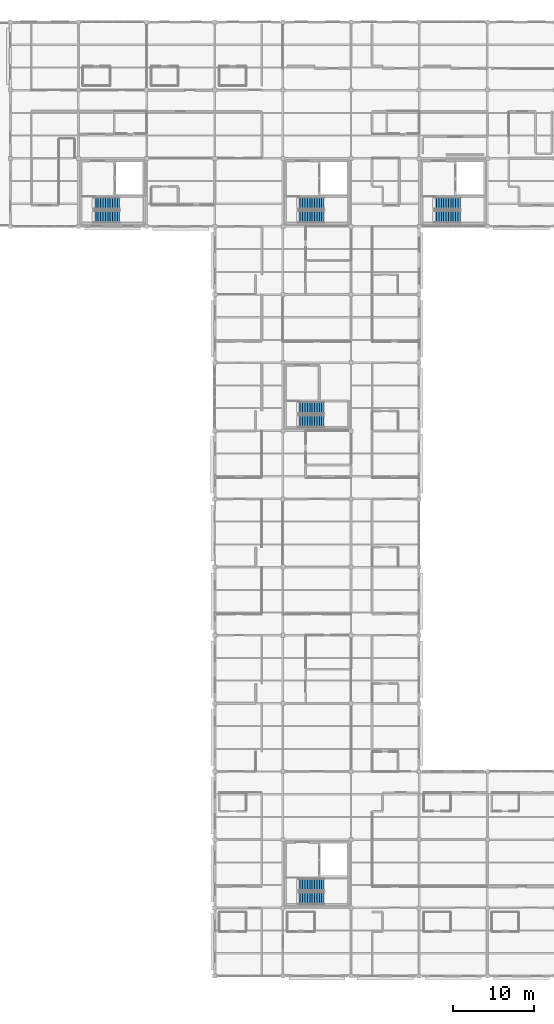
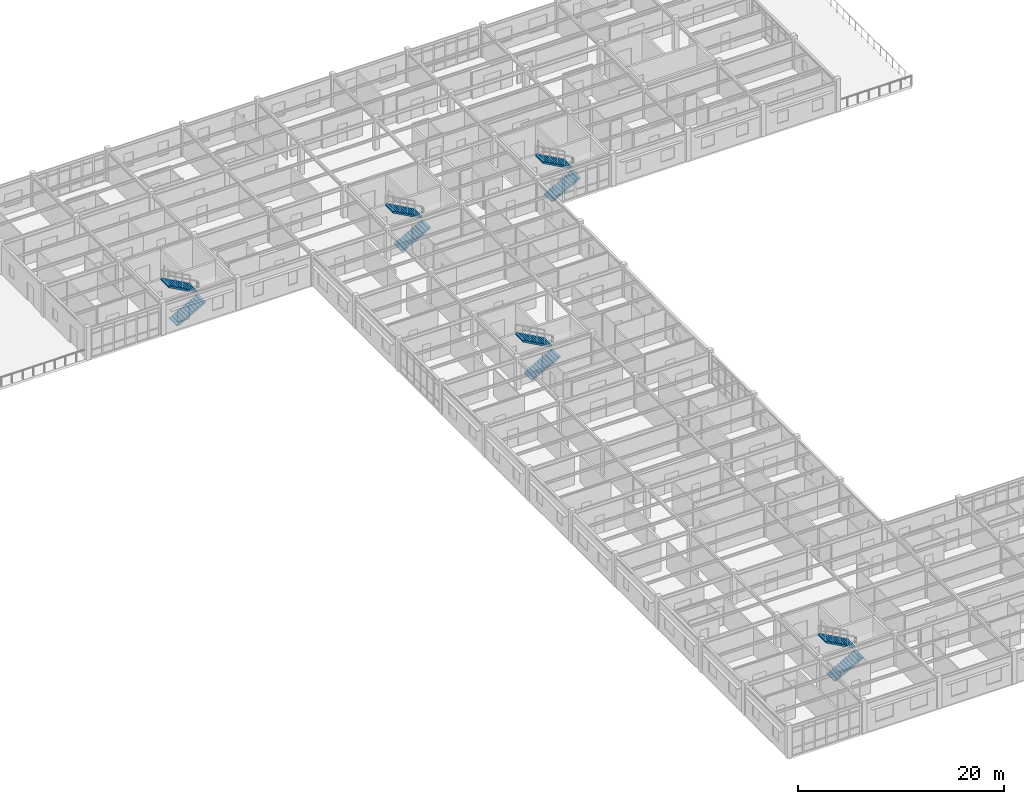
# One storey, part 46 of 53: 10 stair flights, 5 elements without a shape of their own.
"""IFC4 building model written with IfcOpenShell, lengths in metres."""

from ifc_helpers import new_model, si_unit, direction, frame, origin, place, context, subcontext, project, spatial, polyline, outline, extrude, material, type_object, element, aggregate, save


model = new_model("IFC4")

# Units and contexts
model_context = context("Model", 3, precision=1e-05, world=origin(), true_north=direction((0.0, 1.0)))
body_context = subcontext(model_context, "Body", "Model", "MODEL_VIEW")
ifc_project = project(units=[si_unit("LENGTHUNIT", "METRE"), si_unit("AREAUNIT", "SQUARE_METRE"), si_unit("VOLUMEUNIT", "CUBIC_METRE"), si_unit("PLANEANGLEUNIT", "RADIAN"), si_unit("MASSUNIT", "GRAM", prefix="KILO")], contexts=[model_context])

# Site, building, storey
site_placement = place(None, origin())
site = spatial("IfcSite", under=ifc_project, at=site_placement, CompositionType="ELEMENT")
building_placement = place(site_placement, origin())
building = spatial("IfcBuilding", under=site, at=building_placement, Name="Bramfleet General Hospital", CompositionType="ELEMENT")
storey_placement = place(building_placement, frame((0.0, 0.0, 26.39990234375)))
storey = spatial("IfcBuildingStorey", under=building, at=storey_placement, Name="L06", CompositionType="ELEMENT", Elevation=26.39990234375)

# Stair, stair flights
ifc_material = material(Name="Concrete C35/45", Category="concrete")
stair_type = type_object("IfcStairType", Name="STR-T4", PredefinedType="HALF_TURN_STAIR", material=ifc_material)
stair_1_placement = place(storey_placement, origin())
stair_1 = element("IfcStair", 1, at=stair_1_placement, inside=storey, type_object=stair_type, Name="L06 Core C3 (South Ward Wing) Protected Escape Stair", PredefinedType="HALF_TURN_STAIR")
stair_flight_type = type_object("IfcStairFlightType", Name="STF-T4", PredefinedType="STRAIGHT", material=ifc_material)
stair_flight_1_placement = place(storey_placement, frame((102.639892578125, 9.570068359375, 0.0), z_axis=(0.0, 0.0, 1.0), x_axis=(1.0, 0.0, 0.0)))
stair_flight_1 = element("IfcStairFlight", 2, at=stair_flight_1_placement, type_object=stair_flight_type, Name="ST-C3 flight 1", NumberOfRisers=12, NumberOfTreads=11, PredefinedType="STRAIGHT", RiserHeight=0.1625, TreadLength=0.295, context=body_context, shape_type="SweptSolid", body=[
    extrude(outline(polyline([(0.0, 0.0), (0.0, 0.16259765625), (0.294921875, 0.16259765625), (0.294921875, 0.324951171875), (0.590087890625, 0.324951171875), (0.590087890625, 0.487548828125), (0.885009765625, 0.487548828125), (0.885009765625, 0.64990234375), (1.179931640625, 0.64990234375), (1.179931640625, 0.8125), (1.47509765625, 0.8125), (1.47509765625, 0.97509765625), (1.77001953125, 0.97509765625), (1.77001953125, 1.137451171875), (2.06494140625, 1.137451171875), (2.06494140625, 1.300048828125), (2.360107421875, 1.300048828125), (2.360107421875, 1.46240234375), (2.655029296875, 1.46240234375), (2.655029296875, 1.625), (2.949951171875, 1.625), (2.949951171875, 1.78759765625), (3.2451171875, 1.78759765625), (3.2451171875, 1.949951171875), (3.2451171875, 1.60498046875), (0.33154296875, 0.0), (0.0, 0.0)])), frame((0.0, 0.75, 0.0), z_axis=(0.0, -1.0, 0.0), x_axis=(1.0, 0.0, 0.0)), (0.0, 0.0, 1.0), 1.5),
])
stair_flight_2_placement = place(storey_placement, frame((105.885009765625, 11.22998046875, 1.9501953125), z_axis=(0.0, 0.0, 1.0), x_axis=(-1.0, 0.0, 0.0)))
stair_flight_2 = element("IfcStairFlight", 3, at=stair_flight_2_placement, type_object=stair_flight_type, Name="ST-C3 flight 2", NumberOfRisers=12, NumberOfTreads=11, PredefinedType="STRAIGHT", RiserHeight=0.1625, TreadLength=0.295, context=body_context, shape_type="SweptSolid", body=[
    extrude(outline(polyline([(0.0, 0.0), (0.0, 0.16259765625), (0.294921875, 0.16259765625), (0.294921875, 0.324951171875), (0.590087890625, 0.324951171875), (0.590087890625, 0.487548828125), (0.885009765625, 0.487548828125), (0.885009765625, 0.64990234375), (1.179931640625, 0.64990234375), (1.179931640625, 0.8125), (1.47509765625, 0.8125), (1.47509765625, 0.97509765625), (1.77001953125, 0.97509765625), (1.77001953125, 1.137451171875), (2.06494140625, 1.137451171875), (2.06494140625, 1.300048828125), (2.360107421875, 1.300048828125), (2.360107421875, 1.46240234375), (2.655029296875, 1.46240234375), (2.655029296875, 1.625), (2.949951171875, 1.625), (2.949951171875, 1.78759765625), (3.2451171875, 1.78759765625), (3.2451171875, 1.949951171875), (3.2451171875, 1.60498046875), (0.33154296875, 0.0), (0.0, 0.0)])), frame((0.0, 0.75, 0.0), z_axis=(0.0, -1.0, 0.0), x_axis=(1.0, 0.0, 0.0)), (0.0, 0.0, 1.0), 1.5),
])
aggregate(stair_1, [stair_flight_1, stair_flight_2])

stair_2_placement = place(storey_placement, origin())
stair_2 = element("IfcStair", 4, at=stair_2_placement, inside=storey, type_object=stair_type, Name="L06 Core C4 (Central Spine & Helipad Trauma) Protected Escape Stair", PredefinedType="HALF_TURN_STAIR")
stair_flight_3_placement = place(storey_placement, frame((102.639892578125, 93.570068359375, 0.0), z_axis=(0.0, 0.0, 1.0), x_axis=(1.0, 0.0, 0.0)))
stair_flight_3 = element("IfcStairFlight", 5, at=stair_flight_3_placement, type_object=stair_flight_type, Name="ST-C4 flight 1", NumberOfRisers=12, NumberOfTreads=11, PredefinedType="STRAIGHT", RiserHeight=0.1625, TreadLength=0.295, context=body_context, shape_type="SweptSolid", body=[
    extrude(outline(polyline([(0.0, 0.0), (0.0, 0.16259765625), (0.294921875, 0.16259765625), (0.294921875, 0.324951171875), (0.590087890625, 0.324951171875), (0.590087890625, 0.487548828125), (0.885009765625, 0.487548828125), (0.885009765625, 0.64990234375), (1.179931640625, 0.64990234375), (1.179931640625, 0.8125), (1.47509765625, 0.8125), (1.47509765625, 0.97509765625), (1.77001953125, 0.97509765625), (1.77001953125, 1.137451171875), (2.06494140625, 1.137451171875), (2.06494140625, 1.300048828125), (2.360107421875, 1.300048828125), (2.360107421875, 1.46240234375), (2.655029296875, 1.46240234375), (2.655029296875, 1.625), (2.949951171875, 1.625), (2.949951171875, 1.78759765625), (3.2451171875, 1.78759765625), (3.2451171875, 1.949951171875), (3.2451171875, 1.60498046875), (0.33154296875, 0.0), (0.0, 0.0)])), frame((0.0, 0.75, 0.0), z_axis=(0.0, -1.0, 0.0), x_axis=(1.0, 0.0, 0.0)), (0.0, 0.0, 1.0), 1.5),
])
stair_flight_4_placement = place(storey_placement, frame((105.885009765625, 95.22998046875, 1.9501953125), z_axis=(0.0, 0.0, 1.0), x_axis=(-1.0, 0.0, 0.0)))
stair_flight_4 = element("IfcStairFlight", 6, at=stair_flight_4_placement, type_object=stair_flight_type, Name="ST-C4 flight 2", NumberOfRisers=12, NumberOfTreads=11, PredefinedType="STRAIGHT", RiserHeight=0.1625, TreadLength=0.295, context=body_context, shape_type="SweptSolid", body=[
    extrude(outline(polyline([(0.0, 0.0), (0.0, 0.16259765625), (0.294921875, 0.16259765625), (0.294921875, 0.324951171875), (0.590087890625, 0.324951171875), (0.590087890625, 0.487548828125), (0.885009765625, 0.487548828125), (0.885009765625, 0.64990234375), (1.179931640625, 0.64990234375), (1.179931640625, 0.8125), (1.47509765625, 0.8125), (1.47509765625, 0.97509765625), (1.77001953125, 0.97509765625), (1.77001953125, 1.137451171875), (2.06494140625, 1.137451171875), (2.06494140625, 1.300048828125), (2.360107421875, 1.300048828125), (2.360107421875, 1.46240234375), (2.655029296875, 1.46240234375), (2.655029296875, 1.625), (2.949951171875, 1.625), (2.949951171875, 1.78759765625), (3.2451171875, 1.78759765625), (3.2451171875, 1.949951171875), (3.2451171875, 1.60498046875), (0.33154296875, 0.0), (0.0, 0.0)])), frame((0.0, 0.75, 0.0), z_axis=(0.0, -1.0, 0.0), x_axis=(1.0, 0.0, 0.0)), (0.0, 0.0, 1.0), 1.5),
])
aggregate(stair_2, [stair_flight_3, stair_flight_4])

stair_3_placement = place(storey_placement, origin())
stair_3 = element("IfcStair", 7, at=stair_3_placement, inside=storey, type_object=stair_type, Name="L06 Core C5 (North-West Ward Wing) Protected Escape Stair", PredefinedType="HALF_TURN_STAIR")
stair_flight_5_placement = place(storey_placement, frame((77.43994140625, 93.570068359375, 0.0), z_axis=(0.0, 0.0, 1.0), x_axis=(1.0, 0.0, 0.0)))
stair_flight_5 = element("IfcStairFlight", 8, at=stair_flight_5_placement, type_object=stair_flight_type, Name="ST-C5 flight 1", NumberOfRisers=12, NumberOfTreads=11, PredefinedType="STRAIGHT", RiserHeight=0.1625, TreadLength=0.295, context=body_context, shape_type="SweptSolid", body=[
    extrude(outline(polyline([(0.0, 0.0), (0.0, 0.16259765625), (0.294921875, 0.16259765625), (0.294921875, 0.324951171875), (0.590087890625, 0.324951171875), (0.590087890625, 0.487548828125), (0.885009765625, 0.487548828125), (0.885009765625, 0.64990234375), (1.179931640625, 0.64990234375), (1.179931640625, 0.8125), (1.47509765625, 0.8125), (1.47509765625, 0.97509765625), (1.77001953125, 0.97509765625), (1.77001953125, 1.137451171875), (2.06494140625, 1.137451171875), (2.06494140625, 1.300048828125), (2.360107421875, 1.300048828125), (2.360107421875, 1.46240234375), (2.655029296875, 1.46240234375), (2.655029296875, 1.625), (2.949951171875, 1.625), (2.949951171875, 1.78759765625), (3.2451171875, 1.78759765625), (3.2451171875, 1.949951171875), (3.2451171875, 1.60498046875), (0.33154296875, 0.0), (0.0, 0.0)])), frame((0.0, 0.75, 0.0), z_axis=(0.0, -1.0, 0.0), x_axis=(1.0, 0.0, 0.0)), (0.0, 0.0, 1.0), 1.5),
])
stair_flight_6_placement = place(storey_placement, frame((80.68505859375, 95.22998046875, 1.9501953125), z_axis=(0.0, 0.0, 1.0), x_axis=(-1.0, 0.0, 0.0)))
stair_flight_6 = element("IfcStairFlight", 9, at=stair_flight_6_placement, type_object=stair_flight_type, Name="ST-C5 flight 2", NumberOfRisers=12, NumberOfTreads=11, PredefinedType="STRAIGHT", RiserHeight=0.1625, TreadLength=0.295, context=body_context, shape_type="SweptSolid", body=[
    extrude(outline(polyline([(0.0, 0.0), (0.0, 0.16259765625), (0.294921875, 0.16259765625), (0.294921875, 0.324951171875), (0.590087890625, 0.324951171875), (0.590087890625, 0.487548828125), (0.885009765625, 0.487548828125), (0.885009765625, 0.64990234375), (1.179931640625, 0.64990234375), (1.179931640625, 0.8125), (1.47509765625, 0.8125), (1.47509765625, 0.97509765625), (1.77001953125, 0.97509765625), (1.77001953125, 1.137451171875), (2.06494140625, 1.137451171875), (2.06494140625, 1.300048828125), (2.360107421875, 1.300048828125), (2.360107421875, 1.46240234375), (2.655029296875, 1.46240234375), (2.655029296875, 1.625), (2.949951171875, 1.625), (2.949951171875, 1.78759765625), (3.2451171875, 1.78759765625), (3.2451171875, 1.949951171875), (3.2451171875, 1.60498046875), (0.33154296875, 0.0), (0.0, 0.0)])), frame((0.0, 0.75, 0.0), z_axis=(0.0, -1.0, 0.0), x_axis=(1.0, 0.0, 0.0)), (0.0, 0.0, 1.0), 1.5),
])
aggregate(stair_3, [stair_flight_5, stair_flight_6])

stair_4_placement = place(storey_placement, origin())
stair_4 = element("IfcStair", 10, at=stair_4_placement, inside=storey, type_object=stair_type, Name="L06 Core C6 (North-East Ward & Helipad) Protected Escape Stair", PredefinedType="HALF_TURN_STAIR")
stair_flight_7_placement = place(storey_placement, frame((119.43994140625, 93.570068359375, 0.0), z_axis=(0.0, 0.0, 1.0), x_axis=(1.0, 0.0, 0.0)))
stair_flight_7 = element("IfcStairFlight", 11, at=stair_flight_7_placement, type_object=stair_flight_type, Name="ST-C6 flight 1", NumberOfRisers=12, NumberOfTreads=11, PredefinedType="STRAIGHT", RiserHeight=0.1625, TreadLength=0.295, context=body_context, shape_type="SweptSolid", body=[
    extrude(outline(polyline([(0.0, 0.0), (0.0, 0.16259765625), (0.294921875, 0.16259765625), (0.294921875, 0.324951171875), (0.590087890625, 0.324951171875), (0.590087890625, 0.487548828125), (0.885009765625, 0.487548828125), (0.885009765625, 0.64990234375), (1.179931640625, 0.64990234375), (1.179931640625, 0.8125), (1.47509765625, 0.8125), (1.47509765625, 0.97509765625), (1.77001953125, 0.97509765625), (1.77001953125, 1.137451171875), (2.06494140625, 1.137451171875), (2.06494140625, 1.300048828125), (2.360107421875, 1.300048828125), (2.360107421875, 1.46240234375), (2.655029296875, 1.46240234375), (2.655029296875, 1.625), (2.949951171875, 1.625), (2.949951171875, 1.78759765625), (3.2451171875, 1.78759765625), (3.2451171875, 1.949951171875), (3.2451171875, 1.60498046875), (0.33154296875, 0.0), (0.0, 0.0)])), frame((0.0, 0.75, 0.0), z_axis=(0.0, -1.0, 0.0), x_axis=(1.0, 0.0, 0.0)), (0.0, 0.0, 1.0), 1.5),
])
stair_flight_8_placement = place(storey_placement, frame((122.68505859375, 95.22998046875, 1.9501953125), z_axis=(0.0, 0.0, 1.0), x_axis=(-1.0, 0.0, 0.0)))
stair_flight_8 = element("IfcStairFlight", 12, at=stair_flight_8_placement, type_object=stair_flight_type, Name="ST-C6 flight 2", NumberOfRisers=12, NumberOfTreads=11, PredefinedType="STRAIGHT", RiserHeight=0.1625, TreadLength=0.295, context=body_context, shape_type="SweptSolid", body=[
    extrude(outline(polyline([(0.0, 0.0), (0.0, 0.16259765625), (0.294921875, 0.16259765625), (0.294921875, 0.324951171875), (0.590087890625, 0.324951171875), (0.590087890625, 0.487548828125), (0.885009765625, 0.487548828125), (0.885009765625, 0.64990234375), (1.179931640625, 0.64990234375), (1.179931640625, 0.8125), (1.47509765625, 0.8125), (1.47509765625, 0.97509765625), (1.77001953125, 0.97509765625), (1.77001953125, 1.137451171875), (2.06494140625, 1.137451171875), (2.06494140625, 1.300048828125), (2.360107421875, 1.300048828125), (2.360107421875, 1.46240234375), (2.655029296875, 1.46240234375), (2.655029296875, 1.625), (2.949951171875, 1.625), (2.949951171875, 1.78759765625), (3.2451171875, 1.78759765625), (3.2451171875, 1.949951171875), (3.2451171875, 1.60498046875), (0.33154296875, 0.0), (0.0, 0.0)])), frame((0.0, 0.75, 0.0), z_axis=(0.0, -1.0, 0.0), x_axis=(1.0, 0.0, 0.0)), (0.0, 0.0, 1.0), 1.5),
])
aggregate(stair_4, [stair_flight_7, stair_flight_8])

stair_5_placement = place(storey_placement, origin())
stair_5 = element("IfcStair", 13, at=stair_5_placement, inside=storey, type_object=stair_type, Name="L06 Core C11 (Central Spine Escape) Protected Escape Stair", PredefinedType="HALF_TURN_STAIR")
stair_flight_9_placement = place(storey_placement, frame((102.639892578125, 68.3701171875, 0.0), z_axis=(0.0, 0.0, 1.0), x_axis=(1.0, 0.0, 0.0)))
stair_flight_9 = element("IfcStairFlight", 14, at=stair_flight_9_placement, type_object=stair_flight_type, Name="ST-C11 flight 1", NumberOfRisers=12, NumberOfTreads=11, PredefinedType="STRAIGHT", RiserHeight=0.1625, TreadLength=0.295, context=body_context, shape_type="SweptSolid", body=[
    extrude(outline(polyline([(0.0, 0.0), (0.0, 0.16259765625), (0.294921875, 0.16259765625), (0.294921875, 0.324951171875), (0.590087890625, 0.324951171875), (0.590087890625, 0.487548828125), (0.885009765625, 0.487548828125), (0.885009765625, 0.64990234375), (1.179931640625, 0.64990234375), (1.179931640625, 0.8125), (1.47509765625, 0.8125), (1.47509765625, 0.97509765625), (1.77001953125, 0.97509765625), (1.77001953125, 1.137451171875), (2.06494140625, 1.137451171875), (2.06494140625, 1.300048828125), (2.360107421875, 1.300048828125), (2.360107421875, 1.46240234375), (2.655029296875, 1.46240234375), (2.655029296875, 1.625), (2.949951171875, 1.625), (2.949951171875, 1.78759765625), (3.2451171875, 1.78759765625), (3.2451171875, 1.949951171875), (3.2451171875, 1.60498046875), (0.33154296875, 0.0), (0.0, 0.0)])), frame((0.0, 0.75, 0.0), z_axis=(0.0, -1.0, 0.0), x_axis=(1.0, 0.0, 0.0)), (0.0, 0.0, 1.0), 1.5),
])
stair_flight_10_placement = place(storey_placement, frame((105.885009765625, 70.030029296875, 1.9501953125), z_axis=(0.0, 0.0, 1.0), x_axis=(-1.0, 0.0, 0.0)))
stair_flight_10 = element("IfcStairFlight", 15, at=stair_flight_10_placement, type_object=stair_flight_type, Name="ST-C11 flight 2", NumberOfRisers=12, NumberOfTreads=11, PredefinedType="STRAIGHT", RiserHeight=0.1625, TreadLength=0.295, context=body_context, shape_type="SweptSolid", body=[
    extrude(outline(polyline([(0.0, 0.0), (0.0, 0.16259765625), (0.294921875, 0.16259765625), (0.294921875, 0.324951171875), (0.590087890625, 0.324951171875), (0.590087890625, 0.487548828125), (0.885009765625, 0.487548828125), (0.885009765625, 0.64990234375), (1.179931640625, 0.64990234375), (1.179931640625, 0.8125), (1.47509765625, 0.8125), (1.47509765625, 0.97509765625), (1.77001953125, 0.97509765625), (1.77001953125, 1.137451171875), (2.06494140625, 1.137451171875), (2.06494140625, 1.300048828125), (2.360107421875, 1.300048828125), (2.360107421875, 1.46240234375), (2.655029296875, 1.46240234375), (2.655029296875, 1.625), (2.949951171875, 1.625), (2.949951171875, 1.78759765625), (3.2451171875, 1.78759765625), (3.2451171875, 1.949951171875), (3.2451171875, 1.60498046875), (0.33154296875, 0.0), (0.0, 0.0)])), frame((0.0, 0.75, 0.0), z_axis=(0.0, -1.0, 0.0), x_axis=(1.0, 0.0, 0.0)), (0.0, 0.0, 1.0), 1.5),
])
aggregate(stair_5, [stair_flight_9, stair_flight_10])

save(model, "model.ifc")
